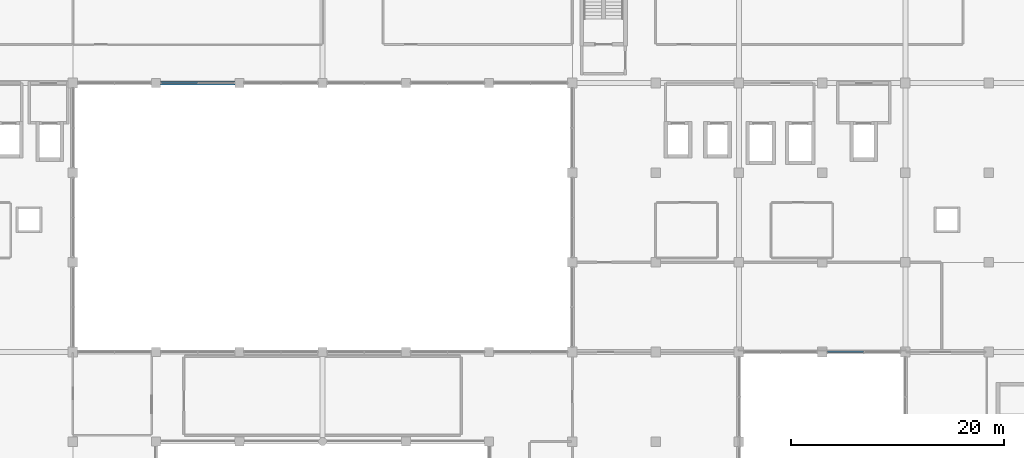
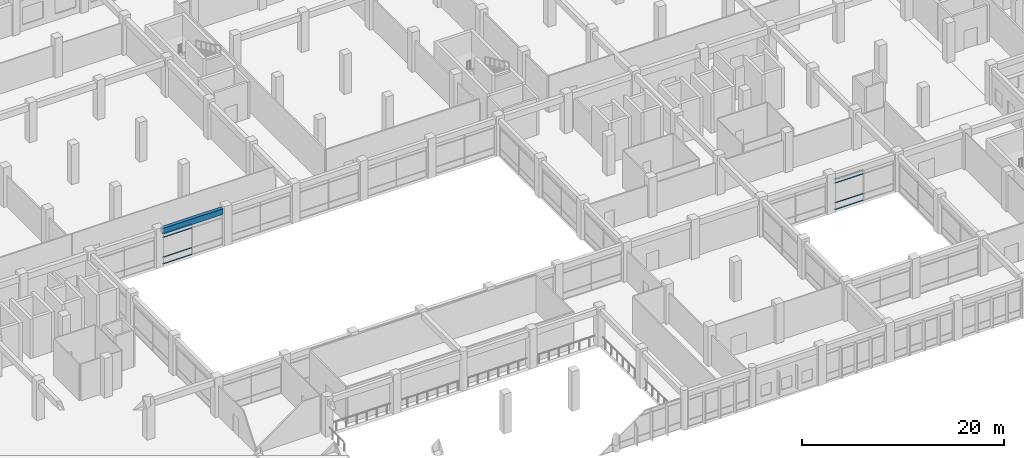
# One storey, part 26 of 79: 8 members, 1 beam, 2 elements without a shape of their own.
"""IFC4 building model written with IfcOpenShell, lengths in metres."""

from ifc_helpers import new_model, si_unit, direction, frame, origin, origin_2d, place, context, subcontext, project, spatial, rectangle, hollow_rectangle, extrude, material, material_profile, profile_set, type_object, element, aggregate, save


model = new_model("IFC4")

# Units and contexts
model_context = context("Model", 3, precision=1e-05, world=origin(), true_north=direction((0.0, 1.0)))
body_context = subcontext(model_context, "Body", "Model", "MODEL_VIEW")
ifc_project = project(units=[si_unit("LENGTHUNIT", "METRE"), si_unit("AREAUNIT", "SQUARE_METRE"), si_unit("VOLUMEUNIT", "CUBIC_METRE"), si_unit("PLANEANGLEUNIT", "RADIAN"), si_unit("MASSUNIT", "GRAM", prefix="KILO"), si_unit("THERMODYNAMICTEMPERATUREUNIT", "KELVIN"), si_unit("POWERUNIT", "WATT")], contexts=[model_context])

# Site, building, storey
site_placement = place(None, origin())
site = spatial("IfcSite", under=ifc_project, at=site_placement, CompositionType="ELEMENT")
building_placement = place(site_placement, origin())
building = spatial("IfcBuilding", under=site, at=building_placement, Name="Srebrne Nadtorze General Hospital", CompositionType="ELEMENT")
storey_placement = place(building_placement, frame((0.0, 0.0, 4.800048828125)))
storey = spatial("IfcBuildingStorey", under=building, at=storey_placement, Name="L01", CompositionType="ELEMENT", Elevation=4.800048828125)

# Curtain wall, members
ifc_material_1 = material(Name="Anodised Aluminium", Category="aluminium")
curtain_wall_type_1 = type_object("IfcCurtainWallType", Name="Unitised curtain wall 6900x3750", PredefinedType="NOTDEFINED", material=ifc_material_1)
curtain_wall_1_placement = place(storey_placement, origin())
curtain_wall_1 = element("IfcCurtainWall", 1, at=curtain_wall_1_placement, inside=storey, type_object=curtain_wall_type_1, Name="Curtain wall CW-049", PredefinedType="NOTDEFINED")
ifc_material_2 = material(Name="Anodised Aluminium", Category="aluminium")
ifc_material_profile_1 = material_profile(ifc_material_2, hollow_rectangle(XDim=0.06494140625, YDim=0.139892578125, WallThickness=0.00390625, at=origin_2d()), Name="AL-TRN-65x140")
ifc_profile_set_1 = profile_set([ifc_material_profile_1], Name="Anodised Aluminium")
member_type = type_object("IfcMemberType", Name="Curtain transom 65x140", PredefinedType="USERDEFINED", material=ifc_profile_set_1)
member_1_placement = place(storey_placement, frame((125.31494140625, 25.199951171875, 0.032470703125), z_axis=(1.0, 0.0, 0.0), x_axis=(0.0, 0.0, 1.0)))
member_1 = element("IfcMember", 2, at=member_1_placement, type_object=member_type, Name="CW-049 transom 1.1", ObjectType="TRANSOM", PredefinedType="USERDEFINED", context=body_context, shape_type="SweptSolid", body=[
    extrude(hollow_rectangle(XDim=0.06494140625, YDim=0.139892578125, WallThickness=0.00390625, at=origin_2d()), origin(), (0.0, 0.0, 1.0), 3.3525390625),
])
member_2_placement = place(storey_placement, frame((125.31494140625, 25.199951171875, 0.849853515625), z_axis=(1.0, 0.0, 0.0), x_axis=(0.0, 0.0, 1.0)))
member_2 = element("IfcMember", 3, at=member_2_placement, type_object=member_type, Name="CW-049 transom 1.2", ObjectType="TRANSOM", PredefinedType="USERDEFINED", context=body_context, shape_type="SweptSolid", body=[
    extrude(hollow_rectangle(XDim=0.06494140625, YDim=0.139892578125, WallThickness=0.00390625, at=origin_2d()), origin(), (0.0, 0.0, 1.0), 3.3525390625),
])
member_3_placement = place(storey_placement, frame((125.31494140625, 25.199951171875, 3.25), z_axis=(1.0, 0.0, 0.0), x_axis=(0.0, 0.0, 1.0)))
member_3 = element("IfcMember", 4, at=member_3_placement, type_object=member_type, Name="CW-049 transom 1.3", ObjectType="TRANSOM", PredefinedType="USERDEFINED", context=body_context, shape_type="SweptSolid", body=[
    extrude(hollow_rectangle(XDim=0.06494140625, YDim=0.139892578125, WallThickness=0.00390625, at=origin_2d()), origin(), (0.0, 0.0, 1.0), 3.3525390625),
])
member_4_placement = place(storey_placement, frame((125.31494140625, 25.199951171875, 3.717529296875), z_axis=(1.0, 0.0, 0.0), x_axis=(0.0, 0.0, 1.0)))
member_4 = element("IfcMember", 5, at=member_4_placement, type_object=member_type, Name="CW-049 transom 1.4", ObjectType="TRANSOM", PredefinedType="USERDEFINED", context=body_context, shape_type="SweptSolid", body=[
    extrude(hollow_rectangle(XDim=0.06494140625, YDim=0.139892578125, WallThickness=0.00390625, at=origin_2d()), origin(), (0.0, 0.0, 1.0), 3.3525390625),
])
aggregate(curtain_wall_1, [member_1, member_2, member_3, member_4])

ifc_material_3 = material(Name="Anodised Aluminium", Category="aluminium")
curtain_wall_type_2 = type_object("IfcCurtainWallType", Name="Unitised curtain wall 6950x3750", PredefinedType="NOTDEFINED", material=ifc_material_3)
curtain_wall_2_placement = place(storey_placement, origin())
curtain_wall_2 = element("IfcCurtainWall", 6, at=curtain_wall_2_placement, inside=storey, type_object=curtain_wall_type_2, Name="Curtain wall CW-051", PredefinedType="NOTDEFINED")
member_5_placement = place(storey_placement, frame((62.889892578125, 50.39990234375, 0.032470703125), z_axis=(1.0, 0.0, 0.0), x_axis=(0.0, 0.0, 1.0)))
member_5 = element("IfcMember", 7, at=member_5_placement, type_object=member_type, Name="CW-051 transom 1.1", ObjectType="TRANSOM", PredefinedType="USERDEFINED", context=body_context, shape_type="SweptSolid", body=[
    extrude(hollow_rectangle(XDim=0.06494140625, YDim=0.139892578125, WallThickness=0.00390625, at=origin_2d()), origin(), (0.0, 0.0, 1.0), 3.377685546875),
])
member_6_placement = place(storey_placement, frame((62.889892578125, 50.39990234375, 0.849853515625), z_axis=(1.0, 0.0, 0.0), x_axis=(0.0, 0.0, 1.0)))
member_6 = element("IfcMember", 8, at=member_6_placement, type_object=member_type, Name="CW-051 transom 1.2", ObjectType="TRANSOM", PredefinedType="USERDEFINED", context=body_context, shape_type="SweptSolid", body=[
    extrude(hollow_rectangle(XDim=0.06494140625, YDim=0.139892578125, WallThickness=0.00390625, at=origin_2d()), origin(), (0.0, 0.0, 1.0), 3.377685546875),
])
member_7_placement = place(storey_placement, frame((62.889892578125, 50.39990234375, 3.25), z_axis=(1.0, 0.0, 0.0), x_axis=(0.0, 0.0, 1.0)))
member_7 = element("IfcMember", 9, at=member_7_placement, type_object=member_type, Name="CW-051 transom 1.3", ObjectType="TRANSOM", PredefinedType="USERDEFINED", context=body_context, shape_type="SweptSolid", body=[
    extrude(hollow_rectangle(XDim=0.06494140625, YDim=0.139892578125, WallThickness=0.00390625, at=origin_2d()), origin(), (0.0, 0.0, 1.0), 3.377685546875),
])
member_8_placement = place(storey_placement, frame((62.889892578125, 50.39990234375, 3.717529296875), z_axis=(1.0, 0.0, 0.0), x_axis=(0.0, 0.0, 1.0)))
member_8 = element("IfcMember", 10, at=member_8_placement, type_object=member_type, Name="CW-051 transom 1.4", ObjectType="TRANSOM", PredefinedType="USERDEFINED", context=body_context, shape_type="SweptSolid", body=[
    extrude(hollow_rectangle(XDim=0.06494140625, YDim=0.139892578125, WallThickness=0.00390625, at=origin_2d()), origin(), (0.0, 0.0, 1.0), 3.377685546875),
])
aggregate(curtain_wall_2, [member_5, member_6, member_7, member_8])

# Beam
ifc_material_4 = material(Name="Concrete C40/50", Category="concrete")
ifc_material_profile_2 = material_profile(ifc_material_4, rectangle(XDim=0.39990234375, YDim=0.699951171875, at=origin_2d()), Name="RC-BM-400x700")
ifc_profile_set_2 = profile_set([ifc_material_profile_2], Name="Concrete C40/50")
beam_type = type_object("IfcBeamType", Name="Edge beam RC 400x700", PredefinedType="BEAM", material=ifc_profile_set_2)
beam_placement = place(storey_placement, frame((62.824951171875, 50.39990234375, 4.099853515625), z_axis=(1.0, 0.0, 0.0), x_axis=(0.0, 1.0, 0.0)))
element("IfcBeam", 11, at=beam_placement, inside=storey, type_object=beam_type, Name="Beam BM-L01-X-0413", PredefinedType="BEAM", context=body_context, shape_type="SweptSolid", body=[
    extrude(rectangle(XDim=0.39990234375, YDim=0.699951171875, at=origin_2d()), origin(), (0.0, 0.0, 1.0), 6.949951171875),
])

save(model, "model.ifc")
